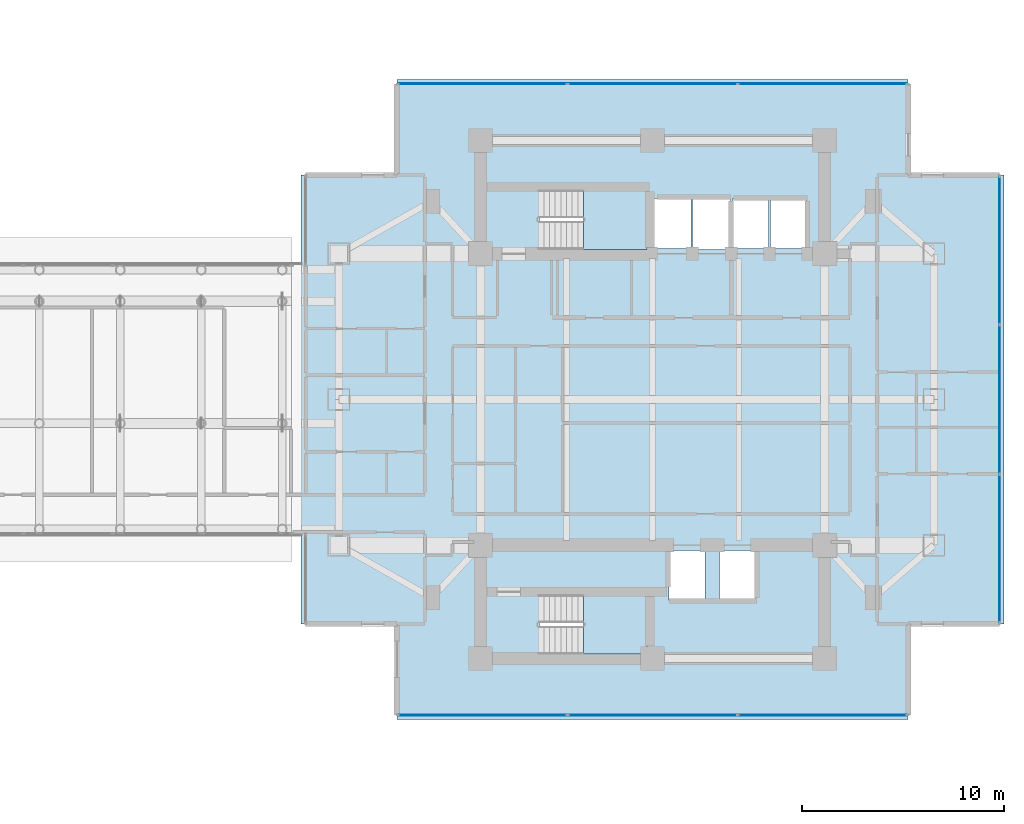
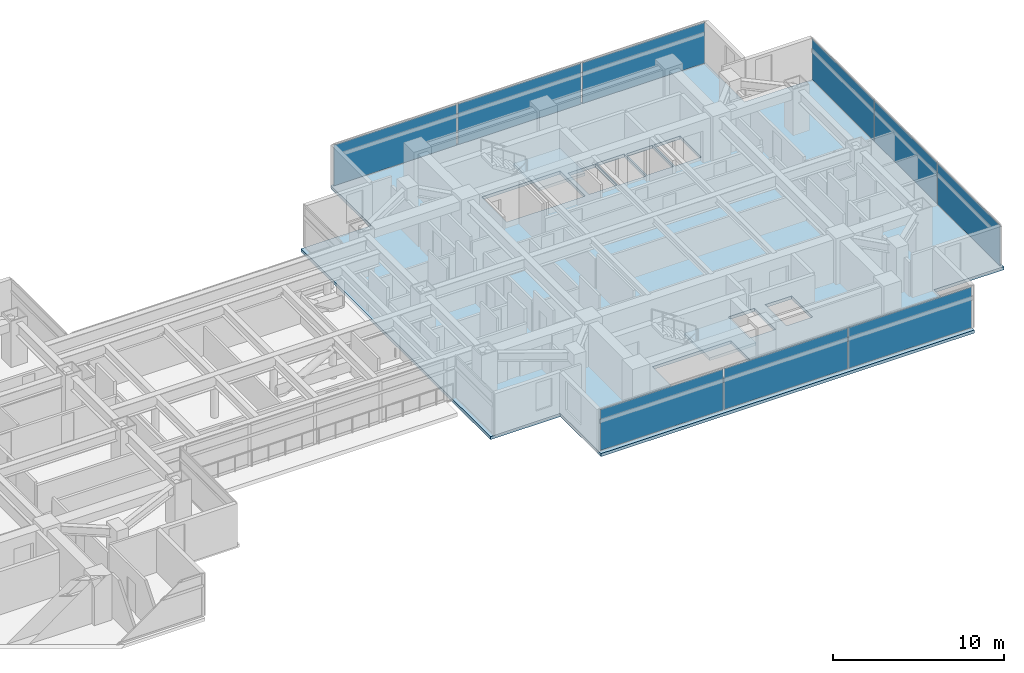
# One storey, part 13 of 29: 9 plates, 3 slabs, 5 elements without a shape of their own.
"""IFC4 building model written with IfcOpenShell, lengths in metres."""

from ifc_helpers import new_model, si_unit, direction, frame, origin, origin_2d, place, context, subcontext, project, spatial, polyline, rectangle, outline, extrude, material, layer, layer_set, type_object, element, aggregate, save


model = new_model("IFC4")

# Units and contexts
model_context = context("Model", 3, precision=1e-05, world=origin(), true_north=direction((0.0, 1.0)))
body_context = subcontext(model_context, "Body", "Model", "MODEL_VIEW")
ifc_project = project(units=[si_unit("LENGTHUNIT", "METRE"), si_unit("AREAUNIT", "SQUARE_METRE"), si_unit("VOLUMEUNIT", "CUBIC_METRE"), si_unit("PLANEANGLEUNIT", "RADIAN"), si_unit("MASSUNIT", "GRAM", prefix="KILO")], contexts=[model_context])

# Site, building, storey
site_placement = place(None, origin())
site = spatial("IfcSite", under=ifc_project, at=site_placement, CompositionType="ELEMENT")
building_placement = place(site_placement, origin())
building = spatial("IfcBuilding", under=site, at=building_placement, Name="Mirazonda Arch Towers", CompositionType="ELEMENT")
storey_placement = place(building_placement, frame((0.0, 0.0, 88.39990234375)))
storey = spatial("IfcBuildingStorey", under=building, at=storey_placement, Name="L24", CompositionType="ELEMENT", Elevation=88.39990234375)

# Curtain wall, plates
ifc_material_1 = material(Name="Anodised Aluminium and Low-E Glass", Category="aluminium")
curtain_wall_type = type_object("IfcCurtainWallType", Name="CW-HTL-UNIT", PredefinedType="NOTDEFINED", material=ifc_material_1)
curtain_wall_1_placement = place(storey_placement, origin())
curtain_wall_1 = element("IfcCurtainWall", 1, at=curtain_wall_1_placement, inside=storey, type_object=curtain_wall_type, Name="L24 T2 S Facade CW-L24-T2-S", PredefinedType="NOTDEFINED")
ifc_material_2 = material(Name="Insulated Low-E Solar Glass", Category="glass")
ifc_layer_1 = layer(ifc_material_2, 0.035888671875, Name="PAN-CW-HTL-UNIT")
ifc_layer_set_1 = layer_set([ifc_layer_1], Name="Insulated Low-E Solar Glass")
plate_type = type_object("IfcPlateType", Name="PAN-CW-HTL-UNIT", PredefinedType="CURTAIN_PANEL", material=ifc_layer_set_1)
plate_1_placement = place(storey_placement, frame((84.898681640625, 12.402587890625, 0.0751953125), z_axis=(0.0, 0.0, 1.0), x_axis=(-1.0, 0.0, 0.0)))
plate_1 = element("IfcPlate", 2, at=plate_1_placement, type_object=plate_type, Name="CW-112 panel 1.1", PredefinedType="CURTAIN_PANEL", context=body_context, shape_type="SweptSolid", body=[
    extrude(rectangle(XDim=8.304931640625, YDim=0.035888671875, at=origin_2d()), origin(), (0.0, 0.0, 1.0), 2.909912109375),
])
plate_2_placement = place(storey_placement, frame((76.5, 12.402587890625, 0.0751953125), z_axis=(0.0, 0.0, 1.0), x_axis=(-1.0, 0.0, 0.0)))
plate_2 = element("IfcPlate", 3, at=plate_2_placement, type_object=plate_type, Name="CW-112 panel 2.1", PredefinedType="CURTAIN_PANEL", context=body_context, shape_type="SweptSolid", body=[
    extrude(rectangle(XDim=8.342529296875, YDim=0.035888671875, at=origin_2d()), origin(), (0.0, 0.0, 1.0), 2.909912109375),
])
plate_3_placement = place(storey_placement, frame((68.101318359375, 12.402587890625, 0.0751953125), z_axis=(0.0, 0.0, 1.0), x_axis=(-1.0, 0.0, 0.0)))
plate_3 = element("IfcPlate", 4, at=plate_3_placement, type_object=plate_type, Name="CW-112 panel 3.1", PredefinedType="CURTAIN_PANEL", context=body_context, shape_type="SweptSolid", body=[
    extrude(rectangle(XDim=8.304931640625, YDim=0.035888671875, at=origin_2d()), origin(), (0.0, 0.0, 1.0), 2.909912109375),
])
aggregate(curtain_wall_1, [plate_1, plate_2, plate_3])

curtain_wall_2_placement = place(storey_placement, origin())
curtain_wall_2 = element("IfcCurtainWall", 5, at=curtain_wall_2_placement, inside=storey, type_object=curtain_wall_type, Name="L24 T2 E Facade CW-L24-T2-E", PredefinedType="NOTDEFINED")
plate_4_placement = place(storey_placement, frame((93.642578125, 20.63134765625, 0.0751953125), z_axis=(0.0, 0.0, 1.0), x_axis=(0.0, 1.0, 0.0)))
plate_4 = element("IfcPlate", 6, at=plate_4_placement, type_object=plate_type, Name="CW-112 panel 1.1", PredefinedType="CURTAIN_PANEL", context=body_context, shape_type="SweptSolid", body=[
    extrude(rectangle(XDim=7.27490234375, YDim=0.035888671875, at=origin_2d()), origin(), (0.0, 0.0, 1.0), 2.909912109375),
])
plate_5_placement = place(storey_placement, frame((93.642578125, 28.0, 0.0751953125), z_axis=(0.0, 0.0, 1.0), x_axis=(0.0, 1.0, 0.0)))
plate_5 = element("IfcPlate", 7, at=plate_5_placement, type_object=plate_type, Name="CW-112 panel 2.1", PredefinedType="CURTAIN_PANEL", context=body_context, shape_type="SweptSolid", body=[
    extrude(rectangle(XDim=7.3125, YDim=0.035888671875, at=origin_2d()), origin(), (0.0, 0.0, 1.0), 2.909912109375),
])
plate_6_placement = place(storey_placement, frame((93.642578125, 35.36865234375, 0.0751953125), z_axis=(0.0, 0.0, 1.0), x_axis=(0.0, 1.0, 0.0)))
plate_6 = element("IfcPlate", 8, at=plate_6_placement, type_object=plate_type, Name="CW-112 panel 3.1", PredefinedType="CURTAIN_PANEL", context=body_context, shape_type="SweptSolid", body=[
    extrude(rectangle(XDim=7.27490234375, YDim=0.035888671875, at=origin_2d()), origin(), (0.0, 0.0, 1.0), 2.909912109375),
])
aggregate(curtain_wall_2, [plate_4, plate_5, plate_6])

curtain_wall_3_placement = place(storey_placement, origin())
curtain_wall_3 = element("IfcCurtainWall", 9, at=curtain_wall_3_placement, inside=storey, type_object=curtain_wall_type, Name="L24 T2 N Facade CW-L24-T2-N", PredefinedType="NOTDEFINED")
plate_7_placement = place(storey_placement, frame((68.101318359375, 43.597412109375, 0.0751953125), z_axis=(0.0, 0.0, 1.0), x_axis=(1.0, 0.0, 0.0)))
plate_7 = element("IfcPlate", 10, at=plate_7_placement, type_object=plate_type, Name="CW-112 panel 1.1", PredefinedType="CURTAIN_PANEL", context=body_context, shape_type="SweptSolid", body=[
    extrude(rectangle(XDim=8.304931640625, YDim=0.035888671875, at=origin_2d()), origin(), (0.0, 0.0, 1.0), 2.909912109375),
])
plate_8_placement = place(storey_placement, frame((76.5, 43.597412109375, 0.0751953125), z_axis=(0.0, 0.0, 1.0), x_axis=(1.0, 0.0, 0.0)))
plate_8 = element("IfcPlate", 11, at=plate_8_placement, type_object=plate_type, Name="CW-112 panel 2.1", PredefinedType="CURTAIN_PANEL", context=body_context, shape_type="SweptSolid", body=[
    extrude(rectangle(XDim=8.342529296875, YDim=0.035888671875, at=origin_2d()), origin(), (0.0, 0.0, 1.0), 2.909912109375),
])
plate_9_placement = place(storey_placement, frame((84.898681640625, 43.597412109375, 0.0751953125), z_axis=(0.0, 0.0, 1.0), x_axis=(1.0, 0.0, 0.0)))
plate_9 = element("IfcPlate", 12, at=plate_9_placement, type_object=plate_type, Name="CW-112 panel 3.1", PredefinedType="CURTAIN_PANEL", context=body_context, shape_type="SweptSolid", body=[
    extrude(rectangle(XDim=8.304931640625, YDim=0.035888671875, at=origin_2d()), origin(), (0.0, 0.0, 1.0), 2.909912109375),
])
aggregate(curtain_wall_3, [plate_7, plate_8, plate_9])

# Stair, slab
ifc_material_3 = material(Name="Concrete C40/50", Category="concrete")
stair_type = type_object("IfcStairType", Name="STAIR-CORE-1400", PredefinedType="HALF_TURN_STAIR", material=ifc_material_3)
stair_1_placement = place(storey_placement, origin())
stair_1 = element("IfcStair", 13, at=stair_1_placement, inside=storey, type_object=stair_type, Name="L24 Protected Exit Stair ST-T2N", PredefinedType="HALF_TURN_STAIR")
ifc_layer_2 = layer(ifc_material_3, 0.18994140625, Name="SLAB-LANDING-190")
ifc_layer_set_2 = layer_set([ifc_layer_2], Name="Concrete C40/50")
slab_type_1 = type_object("IfcSlabType", Name="SLAB-LANDING-190", PredefinedType="LANDING", material=ifc_layer_set_2)
slab_1_placement = place(storey_placement, frame((0.0, 0.0, 1.4501953125)))
slab_1 = element("IfcSlab", 14, at=slab_1_placement, type_object=slab_type_1, Name="ST-T2N landing 1", PredefinedType="LANDING", context=body_context, shape_type="SweptSolid", body=[
    extrude(outline(polyline([(73.090087890625, 35.419921875), (76.22998046875, 35.419921875), (76.22998046875, 38.360107421875), (73.090087890625, 38.360107421875), (73.090087890625, 35.419921875)])), origin(), (0.0, 0.0, 1.0), 0.199951171875),
])
aggregate(stair_1, [slab_1])

stair_2_placement = place(storey_placement, origin())
stair_2 = element("IfcStair", 15, at=stair_2_placement, inside=storey, type_object=stair_type, Name="L24 Protected Exit Stair ST-T2S", PredefinedType="HALF_TURN_STAIR")
slab_2_placement = place(storey_placement, frame((0.0, 0.0, 1.4501953125)))
slab_2 = element("IfcSlab", 16, at=slab_2_placement, type_object=slab_type_1, Name="ST-T2S landing 1", PredefinedType="LANDING", context=body_context, shape_type="SweptSolid", body=[
    extrude(outline(polyline([(73.090087890625, 15.419921875), (76.22998046875, 15.419921875), (76.22998046875, 18.360107421875), (73.090087890625, 18.360107421875), (73.090087890625, 15.419921875)])), origin(), (0.0, 0.0, 1.0), 0.199951171875),
])
aggregate(stair_2, [slab_2])

# Slab
ifc_layer_3 = layer(ifc_material_3, 0.219970703125, Name="SLAB-TWR-220")
ifc_layer_set_3 = layer_set([ifc_layer_3], Name="Concrete C40/50")
slab_type_2 = type_object("IfcSlabType", Name="SLAB-TWR-220", PredefinedType="FLOOR", material=ifc_layer_set_3)
slab_3_placement = place(storey_placement, frame((0.0, 0.0, -0.219970703125)))
element("IfcSlab", 17, at=slab_3_placement, inside=storey, type_object=slab_type_2, Name="L24 Tower 2 Floor Slab", PredefinedType="FLOOR", context=body_context, shape_type="SweptSolid", body=[
    extrude(outline(polyline([(63.873779296875, 12.1826171875), (89.126220703125, 12.1826171875), (89.126220703125, 16.918701171875), (93.862548828125, 16.918701171875), (93.862548828125, 39.081298828125), (89.126220703125, 39.081298828125), (89.126220703125, 43.8173828125), (63.873779296875, 43.8173828125), (63.873779296875, 39.081298828125), (59.137451171875, 39.081298828125), (59.137451171875, 16.918701171875), (63.873779296875, 16.918701171875), (63.873779296875, 12.1826171875)]), holes=[polyline([(82.330078125, 37.93994140625), (84.110107421875, 37.93994140625), (84.110107421875, 35.4599609375), (82.330078125, 35.4599609375), (82.330078125, 37.93994140625)]), polyline([(80.449951171875, 37.93994140625), (82.22998046875, 37.93994140625), (82.22998046875, 35.4599609375), (80.449951171875, 35.4599609375), (80.449951171875, 37.93994140625)]), polyline([(79.81005859375, 20.5400390625), (81.590087890625, 20.5400390625), (81.590087890625, 18.06005859375), (79.81005859375, 18.06005859375), (79.81005859375, 20.5400390625)]), polyline([(78.47998046875, 37.989990234375), (80.360107421875, 37.989990234375), (80.360107421875, 35.409912109375), (78.47998046875, 35.409912109375), (78.47998046875, 37.989990234375)]), polyline([(77.31005859375, 20.5400390625), (79.090087890625, 20.5400390625), (79.090087890625, 18.06005859375), (77.31005859375, 18.06005859375), (77.31005859375, 20.5400390625)]), polyline([(76.510009765625, 37.93994140625), (78.389892578125, 37.93994140625), (78.389892578125, 35.4599609375), (76.510009765625, 35.4599609375), (76.510009765625, 37.93994140625)]), polyline([(70.925048828125, 15.419921875), (70.925048828125, 18.360107421875), (76.22998046875, 18.360107421875), (76.22998046875, 15.419921875), (70.925048828125, 15.419921875)]), polyline([(70.925048828125, 35.419921875), (70.925048828125, 38.360107421875), (76.22998046875, 38.360107421875), (76.22998046875, 35.419921875), (70.925048828125, 35.419921875)])]), origin(), (0.0, 0.0, 1.0), 0.219970703125),
])

save(model, "model.ifc")
